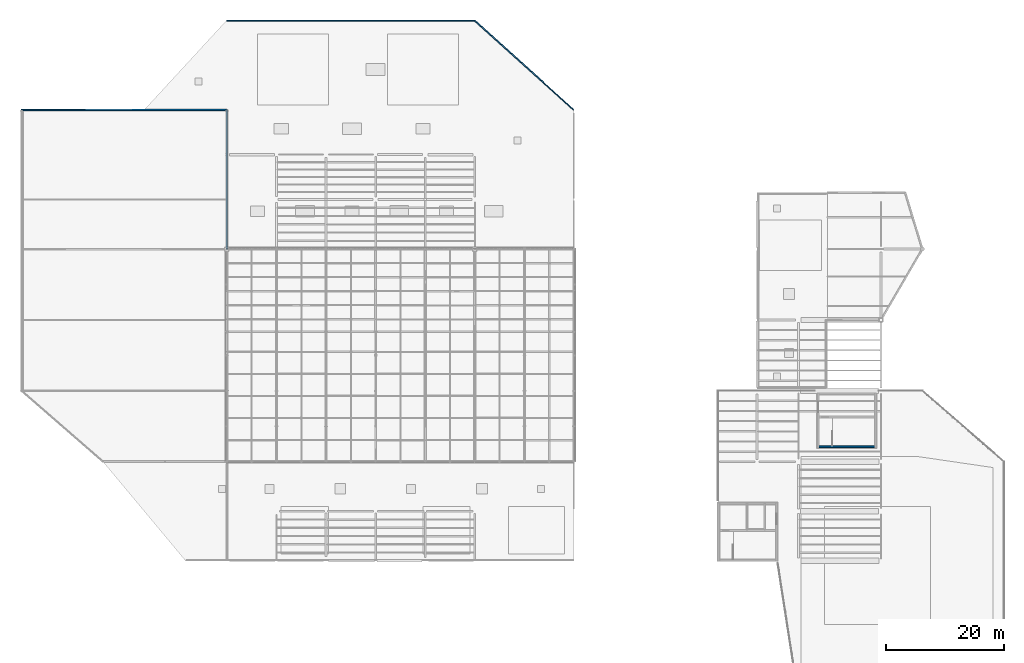
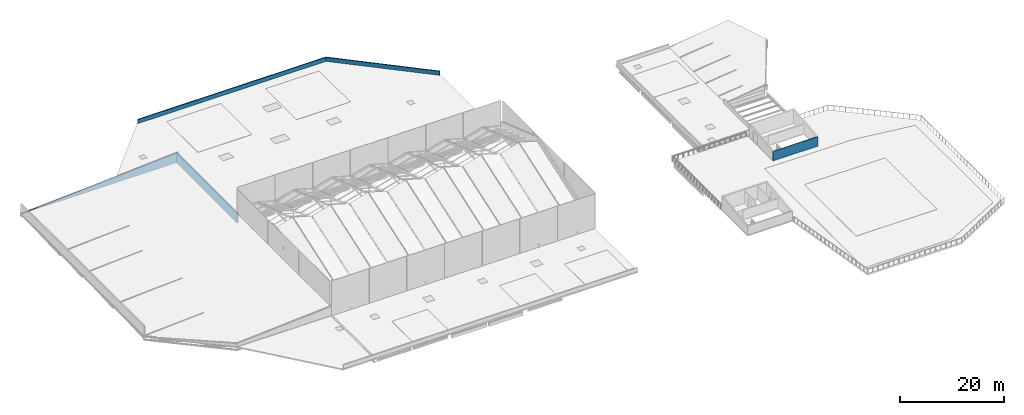
# One storey, part 73 of 77: 5 walls.
"""IFC4 building model written with IfcOpenShell, lengths in metres."""

from ifc_helpers import new_model, si_unit, direction, frame, frame_2d, origin, place, context, subcontext, project, spatial, polyline, rectangle, outline, extrude, material, layer, layer_set, type_object, element, save


model = new_model("IFC4")

# Units and contexts
model_context = context("Model", 3, precision=1e-05, world=origin(), true_north=direction((0.0, 1.0)))
body_context = subcontext(model_context, "Body", "Model", "MODEL_VIEW")
ifc_project = project(units=[si_unit("LENGTHUNIT", "METRE"), si_unit("AREAUNIT", "SQUARE_METRE"), si_unit("VOLUMEUNIT", "CUBIC_METRE"), si_unit("PLANEANGLEUNIT", "RADIAN"), si_unit("MASSUNIT", "GRAM", prefix="KILO")], contexts=[model_context])

# Site, building, storey
site_placement = place(None, origin())
site = spatial("IfcSite", under=ifc_project, at=site_placement, CompositionType="ELEMENT")
building_placement = place(site_placement, origin())
building = spatial("IfcBuilding", under=site, at=building_placement, Name="Larkvane Passage Sports Hall", CompositionType="ELEMENT")
storey_placement = place(building_placement, frame((0.0, 0.0, 22.199951171875)))
storey = spatial("IfcBuildingStorey", under=building, at=storey_placement, Name="RF", CompositionType="ELEMENT", Elevation=22.199951171875)

# Walls
ifc_material_1 = material(Name="Precast concrete C45/55", Category="concrete")
ifc_layer_1 = layer(ifc_material_1, 0.260009765625)
ifc_layer_set_1 = layer_set([ifc_layer_1], Name="Precast concrete C45/55")
wall_type_1 = type_object("IfcWallType", Name="WL-GABLE-260", PredefinedType="SOLIDWALL", material=ifc_layer_set_1)
wall_1_placement = place(storey_placement, frame((34.800048828125, 99.199951171875, 0.0), z_axis=(0.0, 0.0, 1.0), x_axis=(-1.0, 0.0, 0.0)))
element("IfcWall", 1, at=wall_1_placement, inside=storey, type_object=wall_type_1, Name="Northwest court sloped roof gable WAL-GABLE-V1W-N", PredefinedType="SOLIDWALL", context=body_context, shape_type="SweptSolid", body=[
    extrude(outline(polyline([(0.0, 0.0), (34.800048828125, 0.0), (34.800048828125, 0.02001953125), (0.0, 2.219970703125), (0.0, 0.0)])), frame((0.0, 0.1298828125, 0.0), z_axis=(0.0, -1.0, 0.0), x_axis=(1.0, 0.0, 0.0)), (0.0, 0.0, 1.0), 0.260009765625),
])
wall_2_placement = place(storey_placement, frame((34.800048828125, 75.60009765625, 0.0), z_axis=(0.0, 0.0, 1.0), x_axis=(0.0, 1.0, 0.0)))
element("IfcWall", 2, at=wall_2_placement, inside=storey, type_object=wall_type_1, Name="Northwest court sloped roof gable WAL-GABLE-V1W-E", PredefinedType="SOLIDWALL", context=body_context, shape_type="SweptSolid", body=[
    extrude(rectangle(XDim=23.599853515625, YDim=0.260009765625, at=frame_2d((11.7998046875, 0.0))), origin(), (0.0, 0.0, 1.0), 2.219970703125),
])
ifc_layer_2 = layer(ifc_material_1, 0.260009765625)
ifc_layer_set_2 = layer_set([ifc_layer_2], Name="Precast concrete C45/55")
wall_type_2 = type_object("IfcWallType", Name="WL-HH-260", PredefinedType="SOLIDWALL", material=ifc_layer_set_2)
wall_3_placement = place(storey_placement, frame((134.800048828125, 42.1298828125, 0.0), z_axis=(0.0, 0.0, 1.0), x_axis=(1.0, 0.0, 0.0)))
element("IfcWall", 3, at=wall_3_placement, inside=storey, type_object=wall_type_2, Name="Roof stair head-house wall WAL-HH-C7-S", PredefinedType="SOLIDWALL", context=body_context, shape_type="SweptSolid", body=[
    extrude(rectangle(XDim=10.0, YDim=0.260009765625, at=frame_2d((5.0, 0.0))), origin(), (0.0, 0.0, 1.0), 2.16015625),
])
ifc_material_2 = material(Name="Concrete C40/50", Category="concrete")
ifc_layer_3 = layer(ifc_material_2, 0.215087890625)
ifc_layer_set_3 = layer_set([ifc_layer_3], Name="Concrete C40/50")
wall_type_3 = type_object("IfcWallType", Name="WL-PAR-215", PredefinedType="PARAPET", material=ifc_layer_set_3)
wall_4_placement = place(storey_placement, frame((34.800048828125, 114.300048828125, 0.0), z_axis=(0.0, 0.0, 1.0), x_axis=(1.0, 0.0, 0.0)))
element("IfcWall", 4, at=wall_4_placement, inside=storey, type_object=wall_type_3, Name="Roof parapet PAR-RF-V1-N1", PredefinedType="PARAPET", context=body_context, shape_type="SweptSolid", body=[
    extrude(rectangle(XDim=42.0, YDim=0.215087890625, at=frame_2d((21.0, 0.0))), origin(), (0.0, 0.0, 1.0), 0.949951171875),
])
wall_5_placement = place(storey_placement, frame((76.800048828125, 114.300048828125, 0.0), z_axis=(0.0, 0.0, 1.0), x_axis=(0.741743058904, -0.670684154105, 0.0)))
element("IfcWall", 5, at=wall_5_placement, inside=storey, type_object=wall_type_3, Name="Roof parapet PAR-RF-V1-N2", PredefinedType="PARAPET", context=body_context, shape_type="SweptSolid", body=[
    extrude(rectangle(XDim=22.514404296875, YDim=0.215087890625, at=frame_2d((11.25732421875, 0.0))), origin(), (0.0, 0.0, 1.0), 0.949951171875),
])

save(model, "model.ifc")
